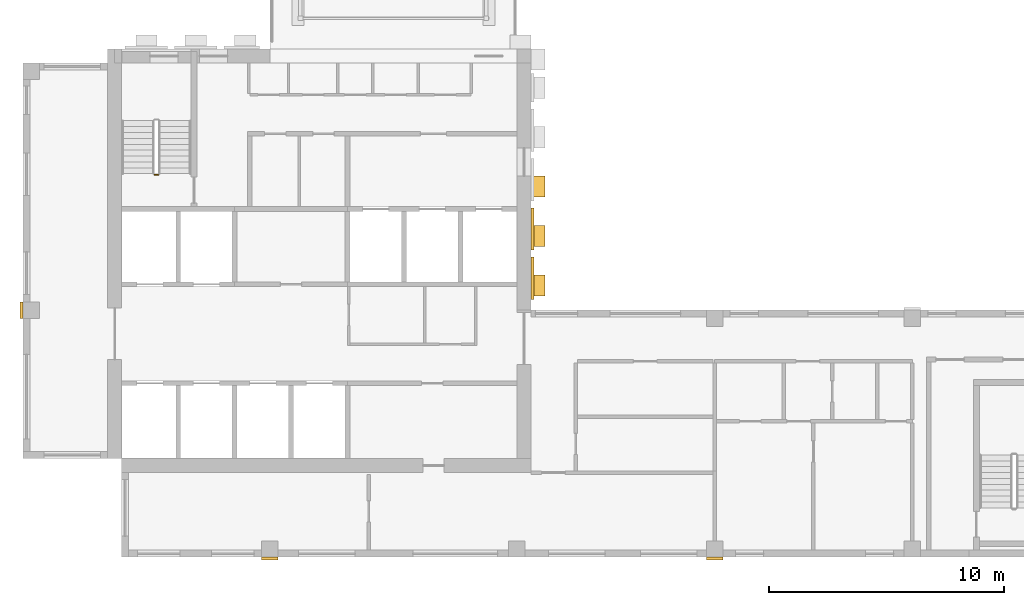
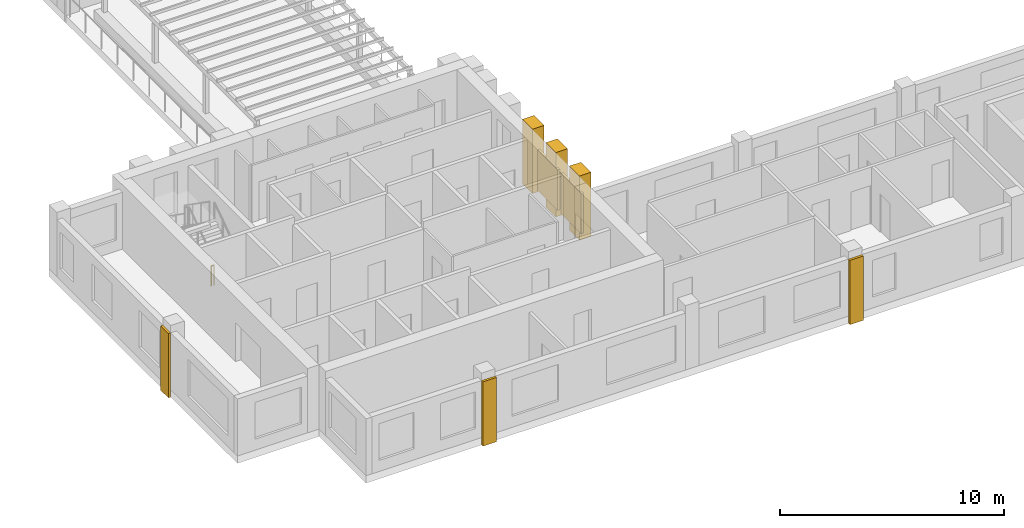
# One storey, part 6 of 9: 8 coverings, 1 railing.
"""IFC4 building model written with IfcOpenShell, lengths in metres."""

from ifc_helpers import new_model, si_unit, direction, frame, origin, origin_2d, place, context, subcontext, project, spatial, rectangle, circle, extrude, source, transform, mapped, material, type_object, element, save


model = new_model("IFC4")

# Units and contexts
model_context = context("Model", 3, precision=1e-05, world=origin(), true_north=direction((0.0, 1.0)))
body_context = subcontext(model_context, "Body", "Model", "MODEL_VIEW")
ifc_project = project(units=[si_unit("LENGTHUNIT", "METRE"), si_unit("AREAUNIT", "SQUARE_METRE"), si_unit("VOLUMEUNIT", "CUBIC_METRE"), si_unit("PLANEANGLEUNIT", "RADIAN"), si_unit("MASSUNIT", "GRAM", prefix="KILO")], contexts=[model_context])

# Site, building, storey
site_placement = place(None, origin())
site = spatial("IfcSite", under=ifc_project, at=site_placement, CompositionType="ELEMENT")
building_placement = place(site_placement, origin())
building = spatial("IfcBuilding", under=site, at=building_placement, Name="Aurelian Terraces", CompositionType="ELEMENT")
storey_placement = place(building_placement, frame((0.0, 0.0, 309.0)))
storey = spatial("IfcBuildingStorey", under=building, at=storey_placement, Name="L71", CompositionType="ELEMENT", Elevation=309.0)

# Coverings
ifc_material_1 = material(Name="Terracotta rainscreen cladding louvre blades", Category="masonry")
covering_type_1 = type_object("IfcCoveringType", Name="LOUVRE-TC", PredefinedType="CLADDING", material=ifc_material_1)
shared_shape_1 = source(origin(), body_context, "Body", "SweptSolid", [
    extrude(rectangle(XDim=0.12, YDim=1.8, at=origin_2d()), origin(), (0.0, 0.0, 1.0), 2.2),
])
for number, where, z_axis, x_axis, name in (
    (1, (21.66, 11.85, 0.45), (0.0, 0.0, 1.0), (1.0, 0.0, 0.0), "LOUVRE L71 core face E.1"),
    (2, (21.66, 13.95, 0.45), (0.0, 0.0, 1.0), (1.0, 0.0, 0.0), "LOUVRE L71 core face E.2"),
):
    element("IfcCovering", number, at=place(storey_placement, frame(where, z_axis=z_axis, x_axis=x_axis)), inside=storey, type_object=covering_type_1, Name=name, PredefinedType="CLADDING", context=body_context, shape_type="MappedRepresentation", body=[
        mapped(shared_shape_1, transform((0.0, 0.0, 0.0), scale=1.0)),
    ])
ifc_material_2 = material(Name="Terracotta rainscreen cladding relief", Category="masonry")
covering_type_2 = type_object("IfcCoveringType", Name="BAGUETTE-TC", PredefinedType="CLADDING", material=ifc_material_2)
shared_shape_2 = source(origin(), body_context, "Body", "SweptSolid", [
    extrude(rectangle(XDim=0.7, YDim=0.12, at=origin_2d()), origin(), (0.0, 0.0, 1.0), 3.5),
])
for number, where, z_axis, x_axis, name in (
    (3, (10.5, -0.06, -0.4), (0.0, 0.0, 1.0), (1.0, 0.0, 0.0), "BAGUETTE pier L71 1"),
    (4, (29.4, -0.06, -0.4), (0.0, 0.0, 1.0), (1.0, 0.0, 0.0), "BAGUETTE pier L71 2"),
):
    element("IfcCovering", number, at=place(storey_placement, frame(where, z_axis=z_axis, x_axis=x_axis)), inside=storey, type_object=covering_type_2, Name=name, PredefinedType="CLADDING", context=body_context, shape_type="MappedRepresentation", body=[
        mapped(shared_shape_2, transform((0.0, 0.0, 0.0), scale=1.0)),
    ])
shared_shape_3 = source(origin(), body_context, "Body", "SweptSolid", [
    extrude(rectangle(XDim=0.12, YDim=0.7, at=origin_2d()), origin(), (0.0, 0.0, 1.0), 3.5),
])
covering_placement = place(storey_placement, frame((-0.06, 10.5, -0.4), z_axis=(0.0, 0.0, 1.0), x_axis=(1.0, 0.0, 0.0)))
element("IfcCovering", 5, at=covering_placement, inside=storey, type_object=covering_type_2, Name="BAGUETTE pier L71 5", PredefinedType="CLADDING", context=body_context, shape_type="MappedRepresentation", body=[
    mapped(shared_shape_3, transform((0.0, 0.0, 0.0), scale=1.0)),
])

# Railing
ifc_material_3 = material(Name="Stainless steel", Category="steel")
railing_type = type_object("IfcRailingType", Name="Stair guard 1100", PredefinedType="GUARDRAIL", material=ifc_material_3)
shared_shape_4 = source(origin(), body_context, "Body", "SweptSolid", [
    extrude(circle(Radius=0.024, at=origin_2d()), frame((0.0, 0.0, 1.076), z_axis=(-1.0, 0.0, 0.0), x_axis=(0.0, -1.0, 0.0)), (0.0, 0.0, 1.0), 0.15),
    extrude(circle(Radius=0.021, at=origin_2d()), origin(), (0.0, 0.0, 1.0), 1.052),
    extrude(circle(Radius=0.021, at=origin_2d()), frame((-0.15, 0.0, 0.0)), (0.0, 0.0, 1.0), 1.052),
])
railing_placement = place(storey_placement, frame((5.75, 16.25, 0.0)))
element("IfcRailing", 6, at=railing_placement, inside=storey, type_object=railing_type, Name="L71 S1 stair guard 4", PredefinedType="GUARDRAIL", context=body_context, shape_type="MappedRepresentation", body=[
    mapped(shared_shape_4, transform((0.0, 0.0, 0.0), scale=1.0)),
])

# Coverings
covering_type_3 = type_object("IfcCoveringType", Name="Core spine pier 900x600", PredefinedType="CLADDING", material=ifc_material_2)
shared_shape_5 = source(origin(), body_context, "Body", "SweptSolid", [
    extrude(rectangle(XDim=0.6, YDim=0.9, at=origin_2d()), origin(), (0.0, 0.0, 1.0), 3.5),
])
for number, where, z_axis, x_axis, name in (
    (7, (21.9, 11.55, 0.0), (0.0, 0.0, 1.0), (1.0, 0.0, 0.0), "Spine pier L71 E1"),
    (8, (21.9, 13.65, 0.0), (0.0, 0.0, 1.0), (1.0, 0.0, 0.0), "Spine pier L71 E2"),
    (9, (21.9, 15.75, 0.0), (0.0, 0.0, 1.0), (1.0, 0.0, 0.0), "Spine pier L71 E3"),
):
    element("IfcCovering", number, at=place(storey_placement, frame(where, z_axis=z_axis, x_axis=x_axis)), inside=storey, type_object=covering_type_3, Name=name, PredefinedType="CLADDING", context=body_context, shape_type="MappedRepresentation", body=[
        mapped(shared_shape_5, transform((0.0, 0.0, 0.0), scale=1.0)),
    ])

save(model, "model.ifc")
